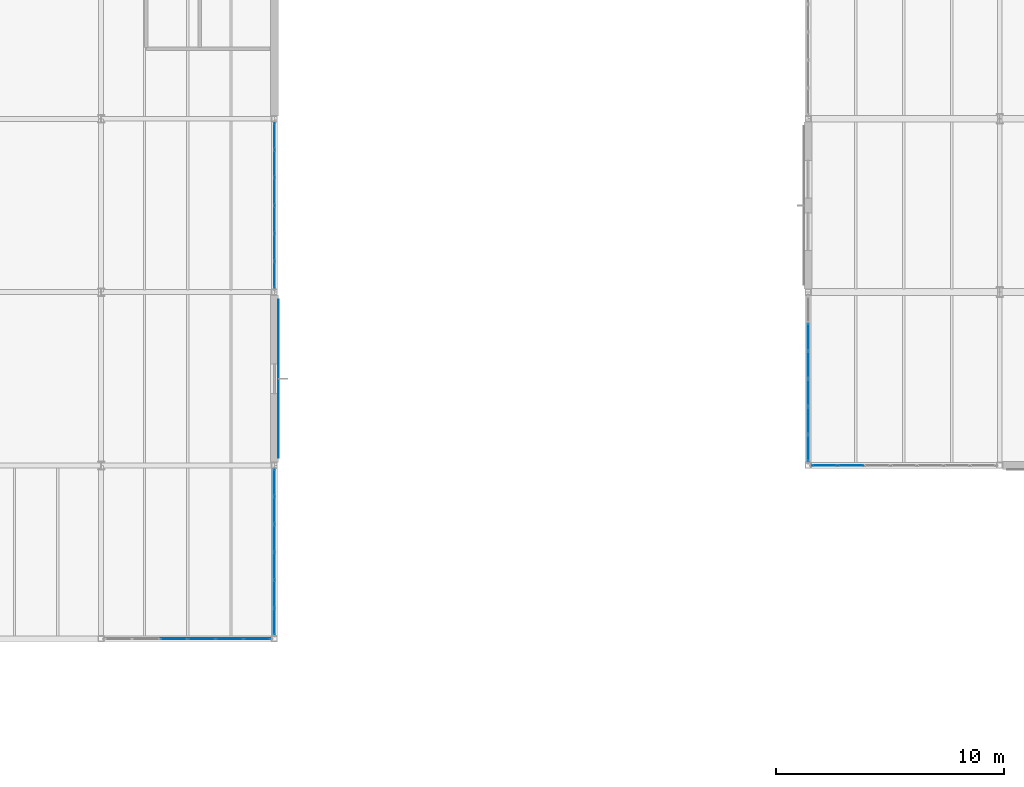
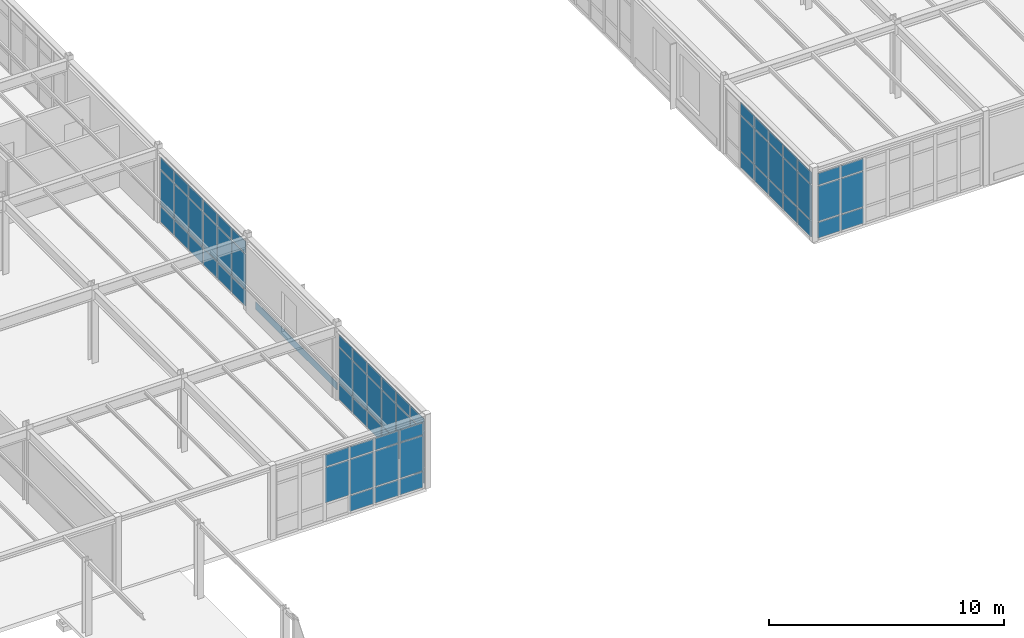
# One storey, part 144 of 189: 69 plates, 5 elements without a shape of their own.
"""IFC4 building model written with IfcOpenShell, lengths in metres."""

from ifc_helpers import new_model, si_unit, direction, frame, origin, origin_2d, place, context, subcontext, project, spatial, rectangle, extrude, material, layer, layer_set, type_object, element, aggregate, save


model = new_model("IFC4")

# Units and contexts
model_context = context("Model", 3, precision=1e-05, world=origin(), true_north=direction((0.0, 1.0)))
body_context = subcontext(model_context, "Body", "Model", "MODEL_VIEW")
ifc_project = project(units=[si_unit("LENGTHUNIT", "METRE"), si_unit("AREAUNIT", "SQUARE_METRE"), si_unit("VOLUMEUNIT", "CUBIC_METRE"), si_unit("PLANEANGLEUNIT", "RADIAN"), si_unit("MASSUNIT", "GRAM", prefix="KILO")], contexts=[model_context])

# Site, building, storey
site_placement = place(None, origin())
site = spatial("IfcSite", under=ifc_project, at=site_placement, CompositionType="ELEMENT")
building_placement = place(site_placement, origin())
building = spatial("IfcBuilding", under=site, at=building_placement, Name="Montecoro Central Library", CompositionType="ELEMENT")
storey_placement = place(building_placement, frame((0.0, 0.0, 9.179931640625)))
storey = spatial("IfcBuildingStorey", under=building, at=storey_placement, Name="L02", CompositionType="ELEMENT", Elevation=9.179931640625)

# Curtain wall, plates
ifc_material_1 = material(Name="Bronze-anodised aluminium and low-E glazing", Category="aluminium")
ifc_layer_1 = layer(ifc_material_1, 0.159912109375)
ifc_layer_set_1 = layer_set([ifc_layer_1], Name="Bronze-anodised aluminium and low-E glazing")
curtain_wall_type_1 = type_object("IfcCurtainWallType", Name="CWT-047", PredefinedType="NOTDEFINED", material=ifc_layer_set_1)
curtain_wall_1_placement = place(storey_placement, origin())
curtain_wall_1 = element("IfcCurtainWall", 1, at=curtain_wall_1_placement, inside=storey, type_object=curtain_wall_type_1, Name="V4-L02-CW-E2", PredefinedType="NOTDEFINED")
ifc_material_2 = material(Name="Laminated low-E double glazing", Category="glass")
ifc_layer_2 = layer(ifc_material_2, 0.02587890625)
ifc_layer_set_2 = layer_set([ifc_layer_2], Name="Laminated low-E double glazing")
plate_type_1 = type_object("IfcPlateType", Name="CWP-GLZ-01", PredefinedType="CURTAIN_PANEL", material=ifc_layer_set_2)
plate_1_placement = place(storey_placement, frame((43.0, 89.359130859375, 0.06005859375), z_axis=(0.0, 0.0, 1.0), x_axis=(0.0, 1.0, 0.0)))
plate_1 = element("IfcPlate", 2, at=plate_1_placement, type_object=plate_type_1, Name="CW-047 panel 1.1", PredefinedType="CURTAIN_PANEL", context=body_context, shape_type="SweptSolid", body=[
    extrude(rectangle(XDim=1.13232421875, YDim=0.02587890625, at=origin_2d()), origin(), (0.0, 0.0, 1.0), 0.81005859375),
])
plate_2_placement = place(storey_placement, frame((43.0, 89.359130859375, 0.93017578125), z_axis=(0.0, 0.0, 1.0), x_axis=(0.0, 1.0, 0.0)))
plate_2 = element("IfcPlate", 3, at=plate_2_placement, type_object=plate_type_1, Name="CW-047 panel 1.2", PredefinedType="CURTAIN_PANEL", context=body_context, shape_type="SweptSolid", body=[
    extrude(rectangle(XDim=1.13232421875, YDim=0.02587890625, at=origin_2d()), origin(), (0.0, 0.0, 1.0), 1.820068359375),
])
plate_3_placement = place(storey_placement, frame((43.0, 89.359130859375, 2.81005859375), z_axis=(0.0, 0.0, 1.0), x_axis=(0.0, 1.0, 0.0)))
plate_3 = element("IfcPlate", 4, at=plate_3_placement, type_object=plate_type_1, Name="CW-047 panel 1.3", PredefinedType="CURTAIN_PANEL", context=body_context, shape_type="SweptSolid", body=[
    extrude(rectangle(XDim=1.13232421875, YDim=0.02587890625, at=origin_2d()), origin(), (0.0, 0.0, 1.0), 0.610107421875),
])
plate_4_placement = place(storey_placement, frame((43.0, 90.56640625, 0.06005859375), z_axis=(0.0, 0.0, 1.0), x_axis=(0.0, 1.0, 0.0)))
plate_4 = element("IfcPlate", 5, at=plate_4_placement, type_object=plate_type_1, Name="CW-047 panel 2.1", PredefinedType="CURTAIN_PANEL", context=body_context, shape_type="SweptSolid", body=[
    extrude(rectangle(XDim=1.162353515625, YDim=0.02587890625, at=origin_2d()), origin(), (0.0, 0.0, 1.0), 0.81005859375),
])
plate_5_placement = place(storey_placement, frame((43.0, 90.56640625, 0.93017578125), z_axis=(0.0, 0.0, 1.0), x_axis=(0.0, 1.0, 0.0)))
plate_5 = element("IfcPlate", 6, at=plate_5_placement, type_object=plate_type_1, Name="CW-047 panel 2.2", PredefinedType="CURTAIN_PANEL", context=body_context, shape_type="SweptSolid", body=[
    extrude(rectangle(XDim=1.162353515625, YDim=0.02587890625, at=origin_2d()), origin(), (0.0, 0.0, 1.0), 1.820068359375),
])
plate_6_placement = place(storey_placement, frame((43.0, 90.56640625, 2.81005859375), z_axis=(0.0, 0.0, 1.0), x_axis=(0.0, 1.0, 0.0)))
plate_6 = element("IfcPlate", 7, at=plate_6_placement, type_object=plate_type_1, Name="CW-047 panel 2.3", PredefinedType="CURTAIN_PANEL", context=body_context, shape_type="SweptSolid", body=[
    extrude(rectangle(XDim=1.162353515625, YDim=0.02587890625, at=origin_2d()), origin(), (0.0, 0.0, 1.0), 0.610107421875),
])
plate_7_placement = place(storey_placement, frame((43.0, 91.788818359375, 0.06005859375), z_axis=(0.0, 0.0, 1.0), x_axis=(0.0, 1.0, 0.0)))
plate_7 = element("IfcPlate", 8, at=plate_7_placement, type_object=plate_type_1, Name="CW-047 panel 3.1", PredefinedType="CURTAIN_PANEL", context=body_context, shape_type="SweptSolid", body=[
    extrude(rectangle(XDim=1.162353515625, YDim=0.02587890625, at=origin_2d()), origin(), (0.0, 0.0, 1.0), 0.81005859375),
])
plate_8_placement = place(storey_placement, frame((43.0, 91.788818359375, 0.93017578125), z_axis=(0.0, 0.0, 1.0), x_axis=(0.0, 1.0, 0.0)))
plate_8 = element("IfcPlate", 9, at=plate_8_placement, type_object=plate_type_1, Name="CW-047 panel 3.2", PredefinedType="CURTAIN_PANEL", context=body_context, shape_type="SweptSolid", body=[
    extrude(rectangle(XDim=1.162353515625, YDim=0.02587890625, at=origin_2d()), origin(), (0.0, 0.0, 1.0), 1.820068359375),
])
plate_9_placement = place(storey_placement, frame((43.0, 91.788818359375, 2.81005859375), z_axis=(0.0, 0.0, 1.0), x_axis=(0.0, 1.0, 0.0)))
plate_9 = element("IfcPlate", 10, at=plate_9_placement, type_object=plate_type_1, Name="CW-047 panel 3.3", PredefinedType="CURTAIN_PANEL", context=body_context, shape_type="SweptSolid", body=[
    extrude(rectangle(XDim=1.162353515625, YDim=0.02587890625, at=origin_2d()), origin(), (0.0, 0.0, 1.0), 0.610107421875),
])
plate_10_placement = place(storey_placement, frame((43.0, 93.01123046875, 0.06005859375), z_axis=(0.0, 0.0, 1.0), x_axis=(0.0, 1.0, 0.0)))
plate_10 = element("IfcPlate", 11, at=plate_10_placement, type_object=plate_type_1, Name="CW-047 panel 4.1", PredefinedType="CURTAIN_PANEL", context=body_context, shape_type="SweptSolid", body=[
    extrude(rectangle(XDim=1.162353515625, YDim=0.02587890625, at=origin_2d()), origin(), (0.0, 0.0, 1.0), 0.81005859375),
])
plate_11_placement = place(storey_placement, frame((43.0, 93.01123046875, 0.93017578125), z_axis=(0.0, 0.0, 1.0), x_axis=(0.0, 1.0, 0.0)))
plate_11 = element("IfcPlate", 12, at=plate_11_placement, type_object=plate_type_1, Name="CW-047 panel 4.2", PredefinedType="CURTAIN_PANEL", context=body_context, shape_type="SweptSolid", body=[
    extrude(rectangle(XDim=1.162353515625, YDim=0.02587890625, at=origin_2d()), origin(), (0.0, 0.0, 1.0), 1.820068359375),
])
plate_12_placement = place(storey_placement, frame((43.0, 93.01123046875, 2.81005859375), z_axis=(0.0, 0.0, 1.0), x_axis=(0.0, 1.0, 0.0)))
plate_12 = element("IfcPlate", 13, at=plate_12_placement, type_object=plate_type_1, Name="CW-047 panel 4.3", PredefinedType="CURTAIN_PANEL", context=body_context, shape_type="SweptSolid", body=[
    extrude(rectangle(XDim=1.162353515625, YDim=0.02587890625, at=origin_2d()), origin(), (0.0, 0.0, 1.0), 0.610107421875),
])
plate_13_placement = place(storey_placement, frame((43.0, 94.2333984375, 0.06005859375), z_axis=(0.0, 0.0, 1.0), x_axis=(0.0, 1.0, 0.0)))
plate_13 = element("IfcPlate", 14, at=plate_13_placement, type_object=plate_type_1, Name="CW-047 panel 5.1", PredefinedType="CURTAIN_PANEL", context=body_context, shape_type="SweptSolid", body=[
    extrude(rectangle(XDim=1.162353515625, YDim=0.02587890625, at=origin_2d()), origin(), (0.0, 0.0, 1.0), 0.81005859375),
])
plate_14_placement = place(storey_placement, frame((43.0, 94.2333984375, 0.93017578125), z_axis=(0.0, 0.0, 1.0), x_axis=(0.0, 1.0, 0.0)))
plate_14 = element("IfcPlate", 15, at=plate_14_placement, type_object=plate_type_1, Name="CW-047 panel 5.2", PredefinedType="CURTAIN_PANEL", context=body_context, shape_type="SweptSolid", body=[
    extrude(rectangle(XDim=1.162353515625, YDim=0.02587890625, at=origin_2d()), origin(), (0.0, 0.0, 1.0), 1.820068359375),
])
plate_15_placement = place(storey_placement, frame((43.0, 94.2333984375, 2.81005859375), z_axis=(0.0, 0.0, 1.0), x_axis=(0.0, 1.0, 0.0)))
plate_15 = element("IfcPlate", 16, at=plate_15_placement, type_object=plate_type_1, Name="CW-047 panel 5.3", PredefinedType="CURTAIN_PANEL", context=body_context, shape_type="SweptSolid", body=[
    extrude(rectangle(XDim=1.162353515625, YDim=0.02587890625, at=origin_2d()), origin(), (0.0, 0.0, 1.0), 0.610107421875),
])
plate_16_placement = place(storey_placement, frame((43.0, 95.44091796875, 0.06005859375), z_axis=(0.0, 0.0, 1.0), x_axis=(0.0, 1.0, 0.0)))
plate_16 = element("IfcPlate", 17, at=plate_16_placement, type_object=plate_type_1, Name="CW-047 panel 6.1", PredefinedType="CURTAIN_PANEL", context=body_context, shape_type="SweptSolid", body=[
    extrude(rectangle(XDim=1.13232421875, YDim=0.02587890625, at=origin_2d()), origin(), (0.0, 0.0, 1.0), 0.81005859375),
])
plate_17_placement = place(storey_placement, frame((43.0, 95.44091796875, 0.93017578125), z_axis=(0.0, 0.0, 1.0), x_axis=(0.0, 1.0, 0.0)))
plate_17 = element("IfcPlate", 18, at=plate_17_placement, type_object=plate_type_1, Name="CW-047 panel 6.2", PredefinedType="CURTAIN_PANEL", context=body_context, shape_type="SweptSolid", body=[
    extrude(rectangle(XDim=1.13232421875, YDim=0.02587890625, at=origin_2d()), origin(), (0.0, 0.0, 1.0), 1.820068359375),
])
plate_18_placement = place(storey_placement, frame((43.0, 95.44091796875, 2.81005859375), z_axis=(0.0, 0.0, 1.0), x_axis=(0.0, 1.0, 0.0)))
plate_18 = element("IfcPlate", 19, at=plate_18_placement, type_object=plate_type_1, Name="CW-047 panel 6.3", PredefinedType="CURTAIN_PANEL", context=body_context, shape_type="SweptSolid", body=[
    extrude(rectangle(XDim=1.13232421875, YDim=0.02587890625, at=origin_2d()), origin(), (0.0, 0.0, 1.0), 0.610107421875),
])
aggregate(curtain_wall_1, [plate_1, plate_2, plate_3, plate_4, plate_5, plate_6, plate_7, plate_8, plate_9, plate_10, plate_11, plate_12, plate_13, plate_14, plate_15, plate_16, plate_17, plate_18])

ifc_layer_3 = layer(ifc_material_1, 0.159912109375)
ifc_layer_set_3 = layer_set([ifc_layer_3], Name="Bronze-anodised aluminium and low-E glazing")
curtain_wall_type_2 = type_object("IfcCurtainWallType", Name="CWT-046", PredefinedType="NOTDEFINED", material=ifc_layer_set_3)
curtain_wall_2_placement = place(storey_placement, origin())
curtain_wall_2 = element("IfcCurtainWall", 20, at=curtain_wall_2_placement, inside=storey, type_object=curtain_wall_type_2, Name="V4-L02-CW-S4", PredefinedType="NOTDEFINED")
ifc_layer_4 = layer(ifc_material_2, 0.033935546875)
ifc_layer_set_4 = layer_set([ifc_layer_4], Name="Laminated low-E double glazing")
plate_type_2 = type_object("IfcPlateType", Name="CWP-GLZ-03", PredefinedType="CURTAIN_PANEL", material=ifc_layer_set_4)
plate_19_placement = place(storey_placement, frame((38.5888671875, 73.39990234375, 0.93017578125), z_axis=(0.0, 0.0, 1.0), x_axis=(1.0, 0.0, 0.0)))
plate_19 = element("IfcPlate", 21, at=plate_19_placement, type_object=plate_type_2, Name="CW-046 panel 3.2", PredefinedType="CURTAIN_PANEL", context=body_context, shape_type="SweptSolid", body=[
    extrude(rectangle(XDim=1.162353515625, YDim=0.033935546875, at=origin_2d()), origin(), (0.0, 0.0, 1.0), 1.820068359375),
])
plate_20_placement = place(storey_placement, frame((38.5888671875, 73.39990234375, 2.81005859375), z_axis=(0.0, 0.0, 1.0), x_axis=(1.0, 0.0, 0.0)))
plate_20 = element("IfcPlate", 22, at=plate_20_placement, type_object=plate_type_2, Name="CW-046 panel 3.3", PredefinedType="CURTAIN_PANEL", context=body_context, shape_type="SweptSolid", body=[
    extrude(rectangle(XDim=1.162353515625, YDim=0.033935546875, at=origin_2d()), origin(), (0.0, 0.0, 1.0), 0.610107421875),
])
plate_21_placement = place(storey_placement, frame((39.811279296875, 73.39990234375, 0.06005859375), z_axis=(0.0, 0.0, 1.0), x_axis=(1.0, 0.0, 0.0)))
plate_21 = element("IfcPlate", 23, at=plate_21_placement, type_object=plate_type_2, Name="CW-046 panel 4.1", PredefinedType="CURTAIN_PANEL", context=body_context, shape_type="SweptSolid", body=[
    extrude(rectangle(XDim=1.162353515625, YDim=0.033935546875, at=origin_2d()), origin(), (0.0, 0.0, 1.0), 0.81005859375),
])
plate_22_placement = place(storey_placement, frame((39.811279296875, 73.39990234375, 0.93017578125), z_axis=(0.0, 0.0, 1.0), x_axis=(1.0, 0.0, 0.0)))
plate_22 = element("IfcPlate", 24, at=plate_22_placement, type_object=plate_type_2, Name="CW-046 panel 4.2", PredefinedType="CURTAIN_PANEL", context=body_context, shape_type="SweptSolid", body=[
    extrude(rectangle(XDim=1.162353515625, YDim=0.033935546875, at=origin_2d()), origin(), (0.0, 0.0, 1.0), 1.820068359375),
])
plate_23_placement = place(storey_placement, frame((39.811279296875, 73.39990234375, 2.81005859375), z_axis=(0.0, 0.0, 1.0), x_axis=(1.0, 0.0, 0.0)))
plate_23 = element("IfcPlate", 25, at=plate_23_placement, type_object=plate_type_2, Name="CW-046 panel 4.3", PredefinedType="CURTAIN_PANEL", context=body_context, shape_type="SweptSolid", body=[
    extrude(rectangle(XDim=1.162353515625, YDim=0.033935546875, at=origin_2d()), origin(), (0.0, 0.0, 1.0), 0.610107421875),
])
plate_24_placement = place(storey_placement, frame((41.033447265625, 73.39990234375, 0.06005859375), z_axis=(0.0, 0.0, 1.0), x_axis=(1.0, 0.0, 0.0)))
plate_24 = element("IfcPlate", 26, at=plate_24_placement, type_object=plate_type_2, Name="CW-046 panel 5.1", PredefinedType="CURTAIN_PANEL", context=body_context, shape_type="SweptSolid", body=[
    extrude(rectangle(XDim=1.162353515625, YDim=0.033935546875, at=origin_2d()), origin(), (0.0, 0.0, 1.0), 0.81005859375),
])
plate_25_placement = place(storey_placement, frame((41.033447265625, 73.39990234375, 0.93017578125), z_axis=(0.0, 0.0, 1.0), x_axis=(1.0, 0.0, 0.0)))
plate_25 = element("IfcPlate", 27, at=plate_25_placement, type_object=plate_type_2, Name="CW-046 panel 5.2", PredefinedType="CURTAIN_PANEL", context=body_context, shape_type="SweptSolid", body=[
    extrude(rectangle(XDim=1.162353515625, YDim=0.033935546875, at=origin_2d()), origin(), (0.0, 0.0, 1.0), 1.820068359375),
])
plate_26_placement = place(storey_placement, frame((41.033447265625, 73.39990234375, 2.81005859375), z_axis=(0.0, 0.0, 1.0), x_axis=(1.0, 0.0, 0.0)))
plate_26 = element("IfcPlate", 28, at=plate_26_placement, type_object=plate_type_2, Name="CW-046 panel 5.3", PredefinedType="CURTAIN_PANEL", context=body_context, shape_type="SweptSolid", body=[
    extrude(rectangle(XDim=1.162353515625, YDim=0.033935546875, at=origin_2d()), origin(), (0.0, 0.0, 1.0), 0.610107421875),
])
plate_27_placement = place(storey_placement, frame((42.24072265625, 73.39990234375, 0.06005859375), z_axis=(0.0, 0.0, 1.0), x_axis=(1.0, 0.0, 0.0)))
plate_27 = element("IfcPlate", 29, at=plate_27_placement, type_object=plate_type_2, Name="CW-046 panel 6.1", PredefinedType="CURTAIN_PANEL", context=body_context, shape_type="SweptSolid", body=[
    extrude(rectangle(XDim=1.13232421875, YDim=0.033935546875, at=origin_2d()), origin(), (0.0, 0.0, 1.0), 0.81005859375),
])
plate_28_placement = place(storey_placement, frame((42.24072265625, 73.39990234375, 0.93017578125), z_axis=(0.0, 0.0, 1.0), x_axis=(1.0, 0.0, 0.0)))
plate_28 = element("IfcPlate", 30, at=plate_28_placement, type_object=plate_type_2, Name="CW-046 panel 6.2", PredefinedType="CURTAIN_PANEL", context=body_context, shape_type="SweptSolid", body=[
    extrude(rectangle(XDim=1.13232421875, YDim=0.033935546875, at=origin_2d()), origin(), (0.0, 0.0, 1.0), 1.820068359375),
])
plate_29_placement = place(storey_placement, frame((42.24072265625, 73.39990234375, 2.81005859375), z_axis=(0.0, 0.0, 1.0), x_axis=(1.0, 0.0, 0.0)))
plate_29 = element("IfcPlate", 31, at=plate_29_placement, type_object=plate_type_2, Name="CW-046 panel 6.3", PredefinedType="CURTAIN_PANEL", context=body_context, shape_type="SweptSolid", body=[
    extrude(rectangle(XDim=1.13232421875, YDim=0.033935546875, at=origin_2d()), origin(), (0.0, 0.0, 1.0), 0.610107421875),
])
aggregate(curtain_wall_2, [plate_19, plate_20, plate_21, plate_22, plate_23, plate_24, plate_25, plate_26, plate_27, plate_28, plate_29])

ifc_layer_5 = layer(ifc_material_1, 0.159912109375)
ifc_layer_set_5 = layer_set([ifc_layer_5], Name="Bronze-anodised aluminium and low-E glazing")
curtain_wall_type_3 = type_object("IfcCurtainWallType", Name="CWT-014", PredefinedType="NOTDEFINED", material=ifc_layer_set_5)
curtain_wall_3_placement = place(storey_placement, origin())
curtain_wall_3 = element("IfcCurtainWall", 32, at=curtain_wall_3_placement, inside=storey, type_object=curtain_wall_type_3, Name="V2-L02-CW-S0", PredefinedType="NOTDEFINED")
ifc_layer_6 = layer(ifc_material_2, 0.0380859375)
ifc_layer_set_6 = layer_set([ifc_layer_6], Name="Laminated low-E double glazing")
plate_type_3 = type_object("IfcPlateType", Name="CWP-GLZ-04", PredefinedType="CURTAIN_PANEL", material=ifc_layer_set_6)
plate_30_placement = place(storey_placement, frame((67.12890625, 81.0, 0.06005859375), z_axis=(0.0, 0.0, 1.0), x_axis=(1.0, 0.0, 0.0)))
plate_30 = element("IfcPlate", 33, at=plate_30_placement, type_object=plate_type_3, Name="CW-014 panel 1.1", PredefinedType="CURTAIN_PANEL", context=body_context, shape_type="SweptSolid", body=[
    extrude(rectangle(XDim=1.072021484375, YDim=0.0380859375, at=origin_2d()), origin(), (0.0, 0.0, 1.0), 0.81005859375),
])
plate_31_placement = place(storey_placement, frame((67.12890625, 81.0, 0.93017578125), z_axis=(0.0, 0.0, 1.0), x_axis=(1.0, 0.0, 0.0)))
plate_31 = element("IfcPlate", 34, at=plate_31_placement, type_object=plate_type_3, Name="CW-014 panel 1.2", PredefinedType="CURTAIN_PANEL", context=body_context, shape_type="SweptSolid", body=[
    extrude(rectangle(XDim=1.072021484375, YDim=0.0380859375, at=origin_2d()), origin(), (0.0, 0.0, 1.0), 1.820068359375),
])
plate_32_placement = place(storey_placement, frame((67.12890625, 81.0, 2.81005859375), z_axis=(0.0, 0.0, 1.0), x_axis=(1.0, 0.0, 0.0)))
plate_32 = element("IfcPlate", 35, at=plate_32_placement, type_object=plate_type_3, Name="CW-014 panel 1.3", PredefinedType="CURTAIN_PANEL", context=body_context, shape_type="SweptSolid", body=[
    extrude(rectangle(XDim=1.072021484375, YDim=0.0380859375, at=origin_2d()), origin(), (0.0, 0.0, 1.0), 0.610107421875),
])
plate_33_placement = place(storey_placement, frame((68.27587890625, 81.0, 0.06005859375), z_axis=(0.0, 0.0, 1.0), x_axis=(1.0, 0.0, 0.0)))
plate_33 = element("IfcPlate", 36, at=plate_33_placement, type_object=plate_type_3, Name="CW-014 panel 2.1", PredefinedType="CURTAIN_PANEL", context=body_context, shape_type="SweptSolid", body=[
    extrude(rectangle(XDim=1.10205078125, YDim=0.0380859375, at=origin_2d()), origin(), (0.0, 0.0, 1.0), 0.81005859375),
])
plate_34_placement = place(storey_placement, frame((68.27587890625, 81.0, 0.93017578125), z_axis=(0.0, 0.0, 1.0), x_axis=(1.0, 0.0, 0.0)))
plate_34 = element("IfcPlate", 37, at=plate_34_placement, type_object=plate_type_3, Name="CW-014 panel 2.2", PredefinedType="CURTAIN_PANEL", context=body_context, shape_type="SweptSolid", body=[
    extrude(rectangle(XDim=1.10205078125, YDim=0.0380859375, at=origin_2d()), origin(), (0.0, 0.0, 1.0), 1.820068359375),
])
plate_35_placement = place(storey_placement, frame((68.27587890625, 81.0, 2.81005859375), z_axis=(0.0, 0.0, 1.0), x_axis=(1.0, 0.0, 0.0)))
plate_35 = element("IfcPlate", 38, at=plate_35_placement, type_object=plate_type_3, Name="CW-014 panel 2.3", PredefinedType="CURTAIN_PANEL", context=body_context, shape_type="SweptSolid", body=[
    extrude(rectangle(XDim=1.10205078125, YDim=0.0380859375, at=origin_2d()), origin(), (0.0, 0.0, 1.0), 0.610107421875),
])
aggregate(curtain_wall_3, [plate_30, plate_31, plate_32, plate_33, plate_34, plate_35])

ifc_layer_7 = layer(ifc_material_1, 0.159912109375)
ifc_layer_set_7 = layer_set([ifc_layer_7], Name="Bronze-anodised aluminium and low-E glazing")
curtain_wall_type_4 = type_object("IfcCurtainWallType", Name="CWT-017", PredefinedType="NOTDEFINED", material=ifc_layer_set_7)
curtain_wall_4_placement = place(storey_placement, origin())
curtain_wall_4 = element("IfcCurtainWall", 39, at=curtain_wall_4_placement, inside=storey, type_object=curtain_wall_type_4, Name="V2-L02-CW-W0", PredefinedType="NOTDEFINED")
plate_36_placement = place(storey_placement, frame((66.39990234375, 86.633544921875, 0.06005859375), z_axis=(0.0, 0.0, 1.0), x_axis=(0.0, -1.0, 0.0)))
plate_36 = element("IfcPlate", 40, at=plate_36_placement, type_object=plate_type_3, Name="CW-017 panel 2.1", PredefinedType="CURTAIN_PANEL", context=body_context, shape_type="SweptSolid", body=[
    extrude(rectangle(XDim=1.162353515625, YDim=0.0380859375, at=origin_2d()), origin(), (0.0, 0.0, 1.0), 0.81005859375),
])
plate_37_placement = place(storey_placement, frame((66.39990234375, 86.633544921875, 0.93017578125), z_axis=(0.0, 0.0, 1.0), x_axis=(0.0, -1.0, 0.0)))
plate_37 = element("IfcPlate", 41, at=plate_37_placement, type_object=plate_type_3, Name="CW-017 panel 2.2", PredefinedType="CURTAIN_PANEL", context=body_context, shape_type="SweptSolid", body=[
    extrude(rectangle(XDim=1.162353515625, YDim=0.0380859375, at=origin_2d()), origin(), (0.0, 0.0, 1.0), 1.820068359375),
])
plate_38_placement = place(storey_placement, frame((66.39990234375, 86.633544921875, 2.81005859375), z_axis=(0.0, 0.0, 1.0), x_axis=(0.0, -1.0, 0.0)))
plate_38 = element("IfcPlate", 42, at=plate_38_placement, type_object=plate_type_3, Name="CW-017 panel 2.3", PredefinedType="CURTAIN_PANEL", context=body_context, shape_type="SweptSolid", body=[
    extrude(rectangle(XDim=1.162353515625, YDim=0.0380859375, at=origin_2d()), origin(), (0.0, 0.0, 1.0), 0.610107421875),
])
plate_39_placement = place(storey_placement, frame((66.39990234375, 85.4111328125, 0.06005859375), z_axis=(0.0, 0.0, 1.0), x_axis=(0.0, -1.0, 0.0)))
plate_39 = element("IfcPlate", 43, at=plate_39_placement, type_object=plate_type_3, Name="CW-017 panel 3.1", PredefinedType="CURTAIN_PANEL", context=body_context, shape_type="SweptSolid", body=[
    extrude(rectangle(XDim=1.162353515625, YDim=0.0380859375, at=origin_2d()), origin(), (0.0, 0.0, 1.0), 0.81005859375),
])
plate_40_placement = place(storey_placement, frame((66.39990234375, 85.4111328125, 0.93017578125), z_axis=(0.0, 0.0, 1.0), x_axis=(0.0, -1.0, 0.0)))
plate_40 = element("IfcPlate", 44, at=plate_40_placement, type_object=plate_type_3, Name="CW-017 panel 3.2", PredefinedType="CURTAIN_PANEL", context=body_context, shape_type="SweptSolid", body=[
    extrude(rectangle(XDim=1.162353515625, YDim=0.0380859375, at=origin_2d()), origin(), (0.0, 0.0, 1.0), 1.820068359375),
])
plate_41_placement = place(storey_placement, frame((66.39990234375, 85.4111328125, 2.81005859375), z_axis=(0.0, 0.0, 1.0), x_axis=(0.0, -1.0, 0.0)))
plate_41 = element("IfcPlate", 45, at=plate_41_placement, type_object=plate_type_3, Name="CW-017 panel 3.3", PredefinedType="CURTAIN_PANEL", context=body_context, shape_type="SweptSolid", body=[
    extrude(rectangle(XDim=1.162353515625, YDim=0.0380859375, at=origin_2d()), origin(), (0.0, 0.0, 1.0), 0.610107421875),
])
plate_42_placement = place(storey_placement, frame((66.39990234375, 84.188720703125, 0.06005859375), z_axis=(0.0, 0.0, 1.0), x_axis=(0.0, -1.0, 0.0)))
plate_42 = element("IfcPlate", 46, at=plate_42_placement, type_object=plate_type_3, Name="CW-017 panel 4.1", PredefinedType="CURTAIN_PANEL", context=body_context, shape_type="SweptSolid", body=[
    extrude(rectangle(XDim=1.162353515625, YDim=0.0380859375, at=origin_2d()), origin(), (0.0, 0.0, 1.0), 0.81005859375),
])
plate_43_placement = place(storey_placement, frame((66.39990234375, 84.188720703125, 0.93017578125), z_axis=(0.0, 0.0, 1.0), x_axis=(0.0, -1.0, 0.0)))
plate_43 = element("IfcPlate", 47, at=plate_43_placement, type_object=plate_type_3, Name="CW-017 panel 4.2", PredefinedType="CURTAIN_PANEL", context=body_context, shape_type="SweptSolid", body=[
    extrude(rectangle(XDim=1.162353515625, YDim=0.0380859375, at=origin_2d()), origin(), (0.0, 0.0, 1.0), 1.820068359375),
])
plate_44_placement = place(storey_placement, frame((66.39990234375, 84.188720703125, 2.81005859375), z_axis=(0.0, 0.0, 1.0), x_axis=(0.0, -1.0, 0.0)))
plate_44 = element("IfcPlate", 48, at=plate_44_placement, type_object=plate_type_3, Name="CW-017 panel 4.3", PredefinedType="CURTAIN_PANEL", context=body_context, shape_type="SweptSolid", body=[
    extrude(rectangle(XDim=1.162353515625, YDim=0.0380859375, at=origin_2d()), origin(), (0.0, 0.0, 1.0), 0.610107421875),
])
plate_45_placement = place(storey_placement, frame((66.39990234375, 82.966552734375, 0.06005859375), z_axis=(0.0, 0.0, 1.0), x_axis=(0.0, -1.0, 0.0)))
plate_45 = element("IfcPlate", 49, at=plate_45_placement, type_object=plate_type_3, Name="CW-017 panel 5.1", PredefinedType="CURTAIN_PANEL", context=body_context, shape_type="SweptSolid", body=[
    extrude(rectangle(XDim=1.162353515625, YDim=0.0380859375, at=origin_2d()), origin(), (0.0, 0.0, 1.0), 0.81005859375),
])
plate_46_placement = place(storey_placement, frame((66.39990234375, 82.966552734375, 0.93017578125), z_axis=(0.0, 0.0, 1.0), x_axis=(0.0, -1.0, 0.0)))
plate_46 = element("IfcPlate", 50, at=plate_46_placement, type_object=plate_type_3, Name="CW-017 panel 5.2", PredefinedType="CURTAIN_PANEL", context=body_context, shape_type="SweptSolid", body=[
    extrude(rectangle(XDim=1.162353515625, YDim=0.0380859375, at=origin_2d()), origin(), (0.0, 0.0, 1.0), 1.820068359375),
])
plate_47_placement = place(storey_placement, frame((66.39990234375, 82.966552734375, 2.81005859375), z_axis=(0.0, 0.0, 1.0), x_axis=(0.0, -1.0, 0.0)))
plate_47 = element("IfcPlate", 51, at=plate_47_placement, type_object=plate_type_3, Name="CW-017 panel 5.3", PredefinedType="CURTAIN_PANEL", context=body_context, shape_type="SweptSolid", body=[
    extrude(rectangle(XDim=1.162353515625, YDim=0.0380859375, at=origin_2d()), origin(), (0.0, 0.0, 1.0), 0.610107421875),
])
plate_48_placement = place(storey_placement, frame((66.39990234375, 81.75927734375, 0.06005859375), z_axis=(0.0, 0.0, 1.0), x_axis=(0.0, -1.0, 0.0)))
plate_48 = element("IfcPlate", 52, at=plate_48_placement, type_object=plate_type_3, Name="CW-017 panel 6.1", PredefinedType="CURTAIN_PANEL", context=body_context, shape_type="SweptSolid", body=[
    extrude(rectangle(XDim=1.13232421875, YDim=0.0380859375, at=origin_2d()), origin(), (0.0, 0.0, 1.0), 0.81005859375),
])
plate_49_placement = place(storey_placement, frame((66.39990234375, 81.75927734375, 0.93017578125), z_axis=(0.0, 0.0, 1.0), x_axis=(0.0, -1.0, 0.0)))
plate_49 = element("IfcPlate", 53, at=plate_49_placement, type_object=plate_type_3, Name="CW-017 panel 6.2", PredefinedType="CURTAIN_PANEL", context=body_context, shape_type="SweptSolid", body=[
    extrude(rectangle(XDim=1.13232421875, YDim=0.0380859375, at=origin_2d()), origin(), (0.0, 0.0, 1.0), 1.820068359375),
])
plate_50_placement = place(storey_placement, frame((66.39990234375, 81.75927734375, 2.81005859375), z_axis=(0.0, 0.0, 1.0), x_axis=(0.0, -1.0, 0.0)))
plate_50 = element("IfcPlate", 54, at=plate_50_placement, type_object=plate_type_3, Name="CW-017 panel 6.3", PredefinedType="CURTAIN_PANEL", context=body_context, shape_type="SweptSolid", body=[
    extrude(rectangle(XDim=1.13232421875, YDim=0.0380859375, at=origin_2d()), origin(), (0.0, 0.0, 1.0), 0.610107421875),
])
aggregate(curtain_wall_4, [plate_36, plate_37, plate_38, plate_39, plate_40, plate_41, plate_42, plate_43, plate_44, plate_45, plate_46, plate_47, plate_48, plate_49, plate_50])

curtain_wall_5_placement = place(storey_placement, origin())
curtain_wall_5 = element("IfcCurtainWall", 55, at=curtain_wall_5_placement, inside=storey, type_object=curtain_wall_type_1, Name="V4-L02-CW-E0", PredefinedType="NOTDEFINED")
plate_51_placement = place(storey_placement, frame((43.0, 74.1591796875, 0.06005859375), z_axis=(0.0, 0.0, 1.0), x_axis=(0.0, 1.0, 0.0)))
plate_51 = element("IfcPlate", 56, at=plate_51_placement, type_object=plate_type_3, Name="CW-047 panel 1.1", PredefinedType="CURTAIN_PANEL", context=body_context, shape_type="SweptSolid", body=[
    extrude(rectangle(XDim=1.13232421875, YDim=0.0380859375, at=origin_2d()), origin(), (0.0, 0.0, 1.0), 0.81005859375),
])
plate_52_placement = place(storey_placement, frame((43.0, 74.1591796875, 0.93017578125), z_axis=(0.0, 0.0, 1.0), x_axis=(0.0, 1.0, 0.0)))
plate_52 = element("IfcPlate", 57, at=plate_52_placement, type_object=plate_type_3, Name="CW-047 panel 1.2", PredefinedType="CURTAIN_PANEL", context=body_context, shape_type="SweptSolid", body=[
    extrude(rectangle(XDim=1.13232421875, YDim=0.0380859375, at=origin_2d()), origin(), (0.0, 0.0, 1.0), 1.820068359375),
])
plate_53_placement = place(storey_placement, frame((43.0, 74.1591796875, 2.81005859375), z_axis=(0.0, 0.0, 1.0), x_axis=(0.0, 1.0, 0.0)))
plate_53 = element("IfcPlate", 58, at=plate_53_placement, type_object=plate_type_3, Name="CW-047 panel 1.3", PredefinedType="CURTAIN_PANEL", context=body_context, shape_type="SweptSolid", body=[
    extrude(rectangle(XDim=1.13232421875, YDim=0.0380859375, at=origin_2d()), origin(), (0.0, 0.0, 1.0), 0.610107421875),
])
plate_54_placement = place(storey_placement, frame((43.0, 75.366455078125, 0.06005859375), z_axis=(0.0, 0.0, 1.0), x_axis=(0.0, 1.0, 0.0)))
plate_54 = element("IfcPlate", 59, at=plate_54_placement, type_object=plate_type_3, Name="CW-047 panel 2.1", PredefinedType="CURTAIN_PANEL", context=body_context, shape_type="SweptSolid", body=[
    extrude(rectangle(XDim=1.162353515625, YDim=0.0380859375, at=origin_2d()), origin(), (0.0, 0.0, 1.0), 0.81005859375),
])
plate_55_placement = place(storey_placement, frame((43.0, 75.366455078125, 0.93017578125), z_axis=(0.0, 0.0, 1.0), x_axis=(0.0, 1.0, 0.0)))
plate_55 = element("IfcPlate", 60, at=plate_55_placement, type_object=plate_type_3, Name="CW-047 panel 2.2", PredefinedType="CURTAIN_PANEL", context=body_context, shape_type="SweptSolid", body=[
    extrude(rectangle(XDim=1.162353515625, YDim=0.0380859375, at=origin_2d()), origin(), (0.0, 0.0, 1.0), 1.820068359375),
])
plate_56_placement = place(storey_placement, frame((43.0, 75.366455078125, 2.81005859375), z_axis=(0.0, 0.0, 1.0), x_axis=(0.0, 1.0, 0.0)))
plate_56 = element("IfcPlate", 61, at=plate_56_placement, type_object=plate_type_3, Name="CW-047 panel 2.3", PredefinedType="CURTAIN_PANEL", context=body_context, shape_type="SweptSolid", body=[
    extrude(rectangle(XDim=1.162353515625, YDim=0.0380859375, at=origin_2d()), origin(), (0.0, 0.0, 1.0), 0.610107421875),
])
plate_57_placement = place(storey_placement, frame((43.0, 76.5888671875, 0.06005859375), z_axis=(0.0, 0.0, 1.0), x_axis=(0.0, 1.0, 0.0)))
plate_57 = element("IfcPlate", 62, at=plate_57_placement, type_object=plate_type_3, Name="CW-047 panel 3.1", PredefinedType="CURTAIN_PANEL", context=body_context, shape_type="SweptSolid", body=[
    extrude(rectangle(XDim=1.162353515625, YDim=0.0380859375, at=origin_2d()), origin(), (0.0, 0.0, 1.0), 0.81005859375),
])
plate_58_placement = place(storey_placement, frame((43.0, 76.5888671875, 0.93017578125), z_axis=(0.0, 0.0, 1.0), x_axis=(0.0, 1.0, 0.0)))
plate_58 = element("IfcPlate", 63, at=plate_58_placement, type_object=plate_type_3, Name="CW-047 panel 3.2", PredefinedType="CURTAIN_PANEL", context=body_context, shape_type="SweptSolid", body=[
    extrude(rectangle(XDim=1.162353515625, YDim=0.0380859375, at=origin_2d()), origin(), (0.0, 0.0, 1.0), 1.820068359375),
])
plate_59_placement = place(storey_placement, frame((43.0, 76.5888671875, 2.81005859375), z_axis=(0.0, 0.0, 1.0), x_axis=(0.0, 1.0, 0.0)))
plate_59 = element("IfcPlate", 64, at=plate_59_placement, type_object=plate_type_3, Name="CW-047 panel 3.3", PredefinedType="CURTAIN_PANEL", context=body_context, shape_type="SweptSolid", body=[
    extrude(rectangle(XDim=1.162353515625, YDim=0.0380859375, at=origin_2d()), origin(), (0.0, 0.0, 1.0), 0.610107421875),
])
plate_60_placement = place(storey_placement, frame((43.0, 77.811279296875, 0.06005859375), z_axis=(0.0, 0.0, 1.0), x_axis=(0.0, 1.0, 0.0)))
plate_60 = element("IfcPlate", 65, at=plate_60_placement, type_object=plate_type_3, Name="CW-047 panel 4.1", PredefinedType="CURTAIN_PANEL", context=body_context, shape_type="SweptSolid", body=[
    extrude(rectangle(XDim=1.162353515625, YDim=0.0380859375, at=origin_2d()), origin(), (0.0, 0.0, 1.0), 0.81005859375),
])
plate_61_placement = place(storey_placement, frame((43.0, 77.811279296875, 0.93017578125), z_axis=(0.0, 0.0, 1.0), x_axis=(0.0, 1.0, 0.0)))
plate_61 = element("IfcPlate", 66, at=plate_61_placement, type_object=plate_type_3, Name="CW-047 panel 4.2", PredefinedType="CURTAIN_PANEL", context=body_context, shape_type="SweptSolid", body=[
    extrude(rectangle(XDim=1.162353515625, YDim=0.0380859375, at=origin_2d()), origin(), (0.0, 0.0, 1.0), 1.820068359375),
])
plate_62_placement = place(storey_placement, frame((43.0, 77.811279296875, 2.81005859375), z_axis=(0.0, 0.0, 1.0), x_axis=(0.0, 1.0, 0.0)))
plate_62 = element("IfcPlate", 67, at=plate_62_placement, type_object=plate_type_3, Name="CW-047 panel 4.3", PredefinedType="CURTAIN_PANEL", context=body_context, shape_type="SweptSolid", body=[
    extrude(rectangle(XDim=1.162353515625, YDim=0.0380859375, at=origin_2d()), origin(), (0.0, 0.0, 1.0), 0.610107421875),
])
plate_63_placement = place(storey_placement, frame((43.0, 79.033447265625, 0.06005859375), z_axis=(0.0, 0.0, 1.0), x_axis=(0.0, 1.0, 0.0)))
plate_63 = element("IfcPlate", 68, at=plate_63_placement, type_object=plate_type_3, Name="CW-047 panel 5.1", PredefinedType="CURTAIN_PANEL", context=body_context, shape_type="SweptSolid", body=[
    extrude(rectangle(XDim=1.162353515625, YDim=0.0380859375, at=origin_2d()), origin(), (0.0, 0.0, 1.0), 0.81005859375),
])
plate_64_placement = place(storey_placement, frame((43.0, 79.033447265625, 0.93017578125), z_axis=(0.0, 0.0, 1.0), x_axis=(0.0, 1.0, 0.0)))
plate_64 = element("IfcPlate", 69, at=plate_64_placement, type_object=plate_type_3, Name="CW-047 panel 5.2", PredefinedType="CURTAIN_PANEL", context=body_context, shape_type="SweptSolid", body=[
    extrude(rectangle(XDim=1.162353515625, YDim=0.0380859375, at=origin_2d()), origin(), (0.0, 0.0, 1.0), 1.820068359375),
])
plate_65_placement = place(storey_placement, frame((43.0, 79.033447265625, 2.81005859375), z_axis=(0.0, 0.0, 1.0), x_axis=(0.0, 1.0, 0.0)))
plate_65 = element("IfcPlate", 70, at=plate_65_placement, type_object=plate_type_3, Name="CW-047 panel 5.3", PredefinedType="CURTAIN_PANEL", context=body_context, shape_type="SweptSolid", body=[
    extrude(rectangle(XDim=1.162353515625, YDim=0.0380859375, at=origin_2d()), origin(), (0.0, 0.0, 1.0), 0.610107421875),
])
plate_66_placement = place(storey_placement, frame((43.0, 80.24072265625, 0.06005859375), z_axis=(0.0, 0.0, 1.0), x_axis=(0.0, 1.0, 0.0)))
plate_66 = element("IfcPlate", 71, at=plate_66_placement, type_object=plate_type_3, Name="CW-047 panel 6.1", PredefinedType="CURTAIN_PANEL", context=body_context, shape_type="SweptSolid", body=[
    extrude(rectangle(XDim=1.13232421875, YDim=0.0380859375, at=origin_2d()), origin(), (0.0, 0.0, 1.0), 0.81005859375),
])
plate_67_placement = place(storey_placement, frame((43.0, 80.24072265625, 0.93017578125), z_axis=(0.0, 0.0, 1.0), x_axis=(0.0, 1.0, 0.0)))
plate_67 = element("IfcPlate", 72, at=plate_67_placement, type_object=plate_type_3, Name="CW-047 panel 6.2", PredefinedType="CURTAIN_PANEL", context=body_context, shape_type="SweptSolid", body=[
    extrude(rectangle(XDim=1.13232421875, YDim=0.0380859375, at=origin_2d()), origin(), (0.0, 0.0, 1.0), 1.820068359375),
])
plate_68_placement = place(storey_placement, frame((43.0, 80.24072265625, 2.81005859375), z_axis=(0.0, 0.0, 1.0), x_axis=(0.0, 1.0, 0.0)))
plate_68 = element("IfcPlate", 73, at=plate_68_placement, type_object=plate_type_3, Name="CW-047 panel 6.3", PredefinedType="CURTAIN_PANEL", context=body_context, shape_type="SweptSolid", body=[
    extrude(rectangle(XDim=1.13232421875, YDim=0.0380859375, at=origin_2d()), origin(), (0.0, 0.0, 1.0), 0.610107421875),
])
aggregate(curtain_wall_5, [plate_51, plate_52, plate_53, plate_54, plate_55, plate_56, plate_57, plate_58, plate_59, plate_60, plate_61, plate_62, plate_63, plate_64, plate_65, plate_66, plate_67, plate_68])

# Plate
ifc_material_3 = material(Name="Architectural bronze spandrel plate", Category="aluminium")
ifc_layer_8 = layer(ifc_material_3, 0.02197265625)
ifc_layer_set_8 = layer_set([ifc_layer_8], Name="Architectural bronze spandrel plate")
plate_type_4 = type_object("IfcPlateType", Name="PLT-SPN-01", PredefinedType="SHEET", material=ifc_layer_set_8)
plate_69_placement = place(storey_placement, frame((43.18359375, 84.800048828125, 0.16015625), z_axis=(0.0, 0.0, 1.0), x_axis=(0.0, 1.0, 0.0)))
element("IfcPlate", 74, at=plate_69_placement, inside=storey, type_object=plate_type_4, Name="V4-L02-SPN-E1", PredefinedType="SHEET", context=body_context, shape_type="SweptSolid", body=[
    extrude(rectangle(XDim=6.93408203125, YDim=0.02197265625, at=origin_2d()), origin(), (0.0, 0.0, 1.0), 0.39990234375),
])

save(model, "model.ifc")
